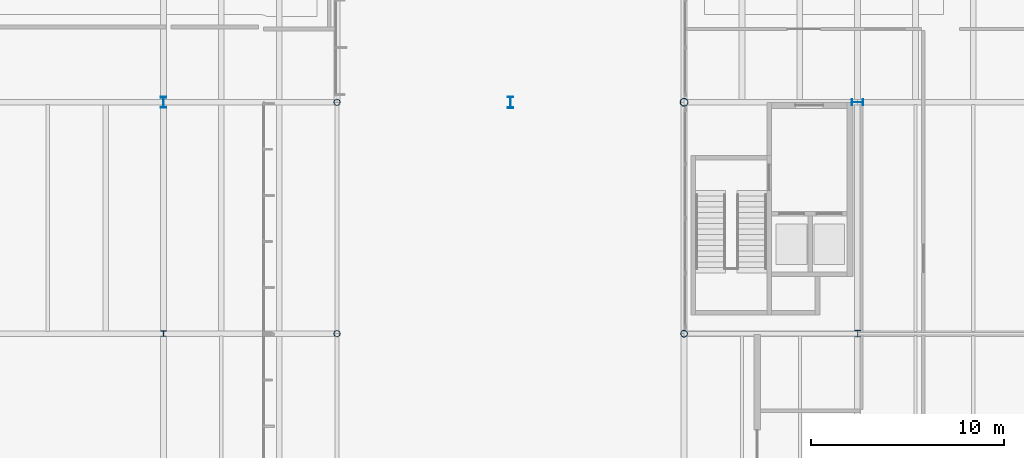
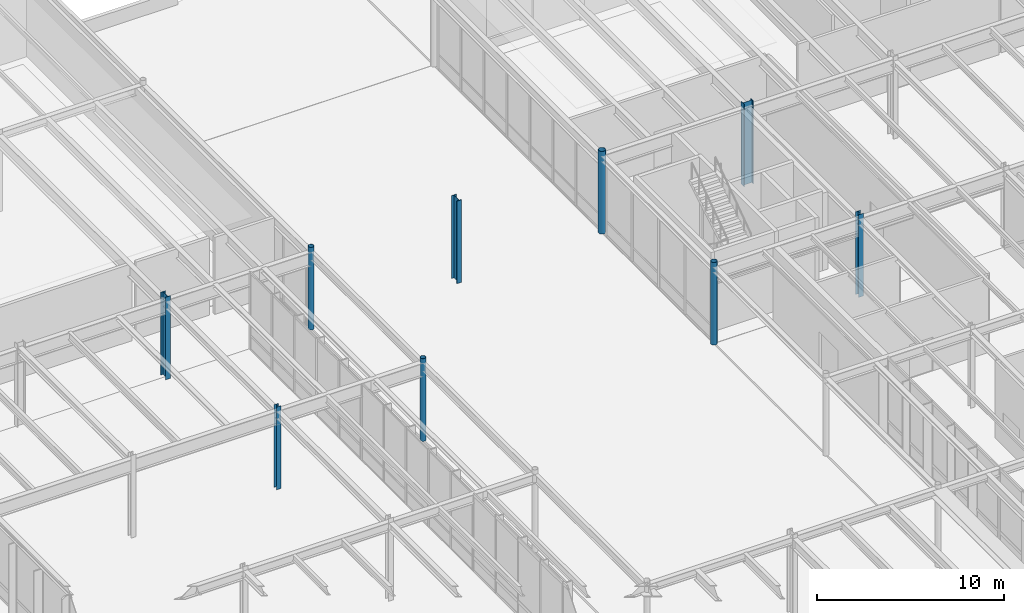
# One storey, part 12 of 143: 9 columns.
"""IFC4 building model written with IfcOpenShell, lengths in metres."""

from ifc_helpers import new_model, si_unit, direction, frame, origin, origin_2d, place, context, subcontext, project, spatial, hollow_circle, i_section, extrude, material, material_profile, profile_set, type_object, element, save


model = new_model("IFC4")

# Units and contexts
model_context = context("Model", 3, precision=1e-05, world=origin(), true_north=direction((0.0, 1.0)))
body_context = subcontext(model_context, "Body", "Model", "MODEL_VIEW")
ifc_project = project(units=[si_unit("LENGTHUNIT", "METRE"), si_unit("AREAUNIT", "SQUARE_METRE"), si_unit("VOLUMEUNIT", "CUBIC_METRE"), si_unit("PLANEANGLEUNIT", "RADIAN"), si_unit("MASSUNIT", "GRAM", prefix="KILO")], contexts=[model_context])

# Site, building, storey
site_placement = place(None, origin())
site = spatial("IfcSite", under=ifc_project, at=site_placement, CompositionType="ELEMENT")
building_placement = place(site_placement, origin())
building = spatial("IfcBuilding", under=site, at=building_placement, Name="Montelvaro Courts of Justice", CompositionType="ELEMENT")
storey_placement = place(building_placement, origin())
storey = spatial("IfcBuildingStorey", under=building, at=storey_placement, Name="L00", CompositionType="ELEMENT", Elevation=0.0)

# Columns
ifc_material = material(Name="Steel S355", Category="steel")
ifc_material_profile_1 = material_profile(ifc_material, hollow_circle(Radius=0.161865234375, WallThickness=0.012451171875, at=origin_2d()), Name="CHS 323.9x12.5")
ifc_profile_set_1 = profile_set([ifc_material_profile_1], Name="Steel S355")
column_type_1 = type_object("IfcColumnType", Name="Col_CHS324", PredefinedType="PILASTER", material=ifc_profile_set_1)
for number, where, z_axis, x_axis, name in (
    (1, (81.0, 66.0, 0.0), (0.0, 0.0, 1.0), (1.0, 0.0, 0.0), "Column C-18 L00 10/F"),
    (2, (81.0, 78.0, 0.0), (0.0, 0.0, 1.0), (1.0, 0.0, 0.0), "Column C-18 L00 10/G"),
):
    element("IfcColumn", number, at=place(storey_placement, frame(where, z_axis=z_axis, x_axis=x_axis)), inside=storey, type_object=column_type_1, Name=name, PredefinedType="PILASTER", context=body_context, shape_type="SweptSolid", body=[
        extrude(hollow_circle(Radius=0.161865234375, WallThickness=0.012451171875, at=origin_2d()), origin(), (0.0, 0.0, 1.0), 5.39990234375),
    ])
ifc_material_profile_2 = material_profile(ifc_material, hollow_circle(Radius=0.177734375, WallThickness=0.01611328125, at=origin_2d()), Name="CHS 355.6x16")
ifc_profile_set_2 = profile_set([ifc_material_profile_2], Name="Steel S355")
column_type_2 = type_object("IfcColumnType", Name="Col_CHS356", PredefinedType="PILASTER", material=ifc_profile_set_2)
column_1_placement = place(storey_placement, frame((99.0, 66.0, 0.0), z_axis=(0.0, 0.0, 1.0), x_axis=(1.0, 0.0, 0.0)))
element("IfcColumn", 3, at=column_1_placement, inside=storey, type_object=column_type_2, Name="Column C-19 L00 12/F", PredefinedType="PILASTER", context=body_context, shape_type="SweptSolid", body=[
    extrude(hollow_circle(Radius=0.177734375, WallThickness=0.01611328125, at=origin_2d()), origin(), (0.0, 0.0, 1.0), 5.39990234375),
])
ifc_material_profile_3 = material_profile(ifc_material, hollow_circle(Radius=0.203125, WallThickness=0.01611328125, at=origin_2d()), Name="CHS 406.4x16")
ifc_profile_set_3 = profile_set([ifc_material_profile_3], Name="Steel S355")
column_type_3 = type_object("IfcColumnType", Name="Col_CHS406", PredefinedType="COLUMN", material=ifc_profile_set_3)
column_2_placement = place(storey_placement, frame((99.0, 78.0, 0.0), z_axis=(0.0, 0.0, 1.0), x_axis=(1.0, 0.0, 0.0)))
element("IfcColumn", 4, at=column_2_placement, inside=storey, type_object=column_type_3, Name="Column C-20 L00 12/G", PredefinedType="COLUMN", context=body_context, shape_type="SweptSolid", body=[
    extrude(hollow_circle(Radius=0.203125, WallThickness=0.01611328125, at=origin_2d()), origin(), (0.0, 0.0, 1.0), 5.39990234375),
])
ifc_material_profile_4 = material_profile(ifc_material, i_section(OverallWidth=0.280029296875, OverallDepth=0.280029296875, WebThickness=0.010498046875, FlangeThickness=0.01806640625, at=origin_2d()), Name="HEB 280")
ifc_profile_set_4 = profile_set([ifc_material_profile_4], Name="Steel S355")
column_type_4 = type_object("IfcColumnType", Name="Col_HEB280", PredefinedType="COLUMN", material=ifc_profile_set_4)
column_3_placement = place(storey_placement, frame((72.0, 66.0, 0.0), z_axis=(0.0, 0.0, 1.0), x_axis=(1.0, 0.0, 0.0)))
element("IfcColumn", 5, at=column_3_placement, inside=storey, type_object=column_type_4, Name="Column C-02 L00 9/F", PredefinedType="COLUMN", context=body_context, shape_type="SweptSolid", body=[
    extrude(i_section(OverallWidth=0.280029296875, OverallDepth=0.280029296875, WebThickness=0.010498046875, FlangeThickness=0.01806640625, at=origin_2d()), origin(), (0.0, 0.0, 1.0), 5.39990234375),
])
ifc_material_profile_5 = material_profile(ifc_material, i_section(OverallWidth=0.300048828125, OverallDepth=0.340087890625, WebThickness=0.011962890625, FlangeThickness=0.021484375, at=origin_2d()), Name="HEB 340")
ifc_profile_set_5 = profile_set([ifc_material_profile_5], Name="Steel S355")
column_type_5 = type_object("IfcColumnType", Name="Col_HEB340", PredefinedType="COLUMN", material=ifc_profile_set_5)
column_4_placement = place(storey_placement, frame((108.0, 66.0, 0.0), z_axis=(0.0, 0.0, 1.0), x_axis=(1.0, 0.0, 0.0)))
element("IfcColumn", 6, at=column_4_placement, inside=storey, type_object=column_type_5, Name="Column C-05 L00 13/F", PredefinedType="COLUMN", context=body_context, shape_type="SweptSolid", body=[
    extrude(i_section(OverallWidth=0.300048828125, OverallDepth=0.340087890625, WebThickness=0.011962890625, FlangeThickness=0.021484375, at=origin_2d()), origin(), (0.0, 0.0, 1.0), 5.39990234375),
])
ifc_material_profile_6 = material_profile(ifc_material, i_section(OverallWidth=0.300048828125, OverallDepth=0.550048828125, WebThickness=0.014892578125, FlangeThickness=0.029052734375, at=origin_2d()), Name="HEB 550")
ifc_profile_set_6 = profile_set([ifc_material_profile_6], Name="Steel S355")
column_type_6 = type_object("IfcColumnType", Name="Col_HEB550", PredefinedType="COLUMN", material=ifc_profile_set_6)
column_5_placement = place(storey_placement, frame((72.0, 78.0, 0.0), z_axis=(0.0, 0.0, 1.0), x_axis=(1.0, 0.0, 0.0)))
element("IfcColumn", 7, at=column_5_placement, inside=storey, type_object=column_type_6, Name="Column C-10 L00 9/G", PredefinedType="COLUMN", context=body_context, shape_type="SweptSolid", body=[
    extrude(i_section(OverallWidth=0.300048828125, OverallDepth=0.550048828125, WebThickness=0.014892578125, FlangeThickness=0.029052734375, at=origin_2d()), origin(), (0.0, 0.0, 1.0), 5.39990234375),
])
ifc_material_profile_7 = material_profile(ifc_material, i_section(OverallWidth=0.300048828125, OverallDepth=0.60009765625, WebThickness=0.015380859375, FlangeThickness=0.030029296875, at=origin_2d()), Name="HEB 600")
ifc_profile_set_7 = profile_set([ifc_material_profile_7], Name="Steel S355")
column_type_7 = type_object("IfcColumnType", Name="Col_HEB600", PredefinedType="COLUMN", material=ifc_profile_set_7)
for number, where, z_axis, x_axis, name in (
    (8, (90.0, 78.0, 0.0), (0.0, 0.0, 1.0), (1.0, 0.0, 0.0), "Column C-11 L00 11/G"),
    (9, (108.0, 78.0, 0.0), (0.0, 0.0, 1.0), (0.0, 1.0, 0.0), "Column C-11 L00 13/G"),
):
    element("IfcColumn", number, at=place(storey_placement, frame(where, z_axis=z_axis, x_axis=x_axis)), inside=storey, type_object=column_type_7, Name=name, PredefinedType="COLUMN", context=body_context, shape_type="SweptSolid", body=[
        extrude(i_section(OverallWidth=0.300048828125, OverallDepth=0.60009765625, WebThickness=0.015380859375, FlangeThickness=0.030029296875, at=origin_2d()), origin(), (0.0, 0.0, 1.0), 5.39990234375),
    ])

save(model, "model.ifc")
